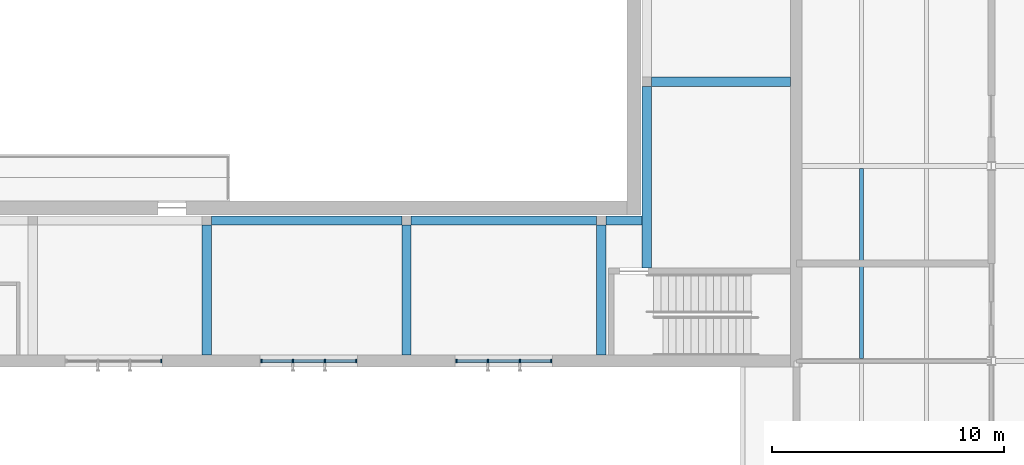
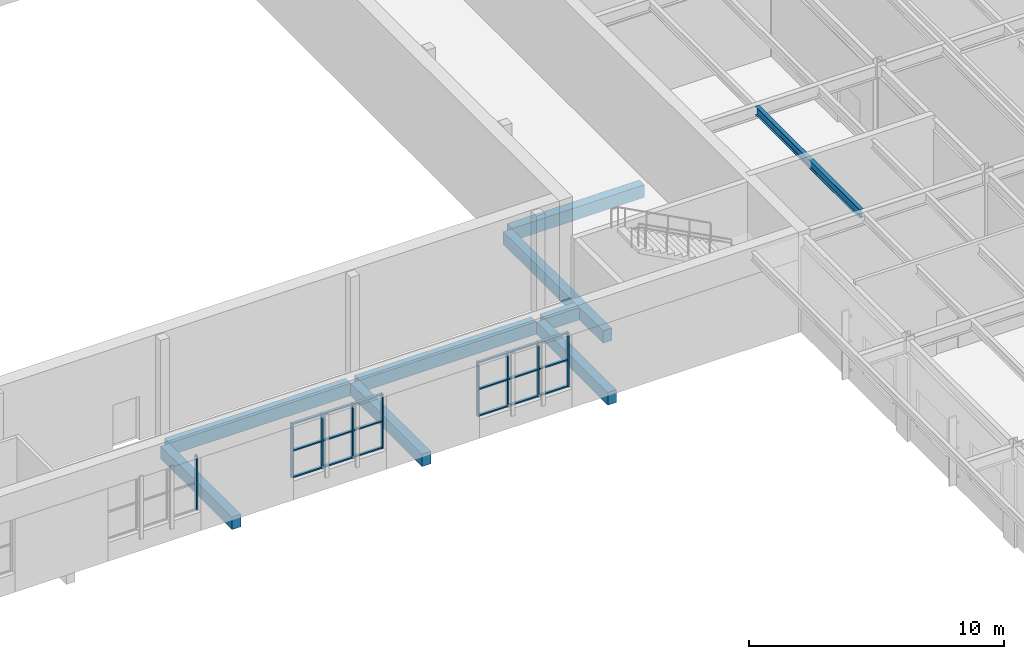
# One storey, part 27 of 116: 27 members, 9 beams, 3 elements without a shape of their own.
"""IFC4 building model written with IfcOpenShell, lengths in metres."""

from ifc_helpers import new_model, si_unit, direction, frame, origin, origin_2d, place, context, subcontext, project, spatial, rectangle, i_section, extrude, material, material_profile, profile_set, type_object, element, aggregate, save


model = new_model("IFC4")

# Units and contexts
model_context = context("Model", 3, precision=1e-05, world=origin(), true_north=direction((0.0, 1.0)))
body_context = subcontext(model_context, "Body", "Model", "MODEL_VIEW")
ifc_project = project(units=[si_unit("LENGTHUNIT", "METRE"), si_unit("AREAUNIT", "SQUARE_METRE"), si_unit("VOLUMEUNIT", "CUBIC_METRE"), si_unit("PLANEANGLEUNIT", "RADIAN"), si_unit("MASSUNIT", "GRAM", prefix="KILO")], contexts=[model_context])

# Site, building, storey
site_placement = place(None, origin())
site = spatial("IfcSite", under=ifc_project, at=site_placement, CompositionType="ELEMENT")
building_placement = place(site_placement, origin())
building = spatial("IfcBuilding", under=site, at=building_placement, Name="Ljudholm Concert House", CompositionType="ELEMENT")
storey_placement = place(building_placement, frame((0.0, 0.0, 10.199951171875)))
storey = spatial("IfcBuildingStorey", under=building, at=storey_placement, Name="L02", CompositionType="ELEMENT", Elevation=10.199951171875)

# Curtain wall, member
ifc_material_1 = material(Name="Aluminium curtain wall with impact-rated laminated glass", Category="aluminium")
curtain_wall_type = type_object("IfcCurtainWallType", Name="CURTAIN WALL 1400", PredefinedType="NOTDEFINED", material=ifc_material_1)
curtain_wall_1_placement = place(storey_placement, origin())
curtain_wall_1 = element("IfcCurtainWall", 1, at=curtain_wall_1_placement, inside=storey, type_object=curtain_wall_type, Name="Promenade curtain wall", PredefinedType="NOTDEFINED")
ifc_material_2 = material(Name="Aluminium extrusion", Category="aluminium")
ifc_material_profile_1 = material_profile(ifc_material_2, rectangle(XDim=0.159912109375, YDim=0.06005859375, at=origin_2d()), Name="MULLION 60x160")
ifc_profile_set_1 = profile_set([ifc_material_profile_1], Name="Aluminium extrusion")
member_type_1 = type_object("IfcMemberType", Name="MULLION 60x160", PredefinedType="MULLION", material=ifc_profile_set_1)
member_1_placement = place(storey_placement, frame((69.0400390625, 54.39990234375, 0.900146484375), z_axis=(0.0, 0.0, 1.0), x_axis=(0.0, 1.0, 0.0)))
member_1 = element("IfcMember", 2, at=member_1_placement, type_object=member_type_1, Name="Mullion", PredefinedType="MULLION", context=body_context, shape_type="SweptSolid", body=[
    extrude(rectangle(XDim=0.159912109375, YDim=0.06005859375, at=origin_2d()), origin(), (0.0, 0.0, 1.0), 2.599853515625),
])
aggregate(curtain_wall_1, [member_1])

# Curtain wall, members
curtain_wall_2_placement = place(storey_placement, origin())
curtain_wall_2 = element("IfcCurtainWall", 3, at=curtain_wall_2_placement, inside=storey, type_object=curtain_wall_type, Name="Promenade curtain wall", PredefinedType="NOTDEFINED")
member_2_placement = place(storey_placement, frame((73.360107421875, 54.39990234375, 0.900146484375), z_axis=(0.0, 0.0, 1.0), x_axis=(0.0, 1.0, 0.0)))
member_2 = element("IfcMember", 4, at=member_2_placement, type_object=member_type_1, Name="Mullion", PredefinedType="MULLION", context=body_context, shape_type="SweptSolid", body=[
    extrude(rectangle(XDim=0.159912109375, YDim=0.06005859375, at=origin_2d()), origin(), (0.0, 0.0, 1.0), 2.599853515625),
])
member_3_placement = place(storey_placement, frame((74.7099609375, 54.39990234375, 0.900146484375), z_axis=(0.0, 0.0, 1.0), x_axis=(0.0, 1.0, 0.0)))
member_3 = element("IfcMember", 5, at=member_3_placement, type_object=member_type_1, Name="Mullion", PredefinedType="MULLION", context=body_context, shape_type="SweptSolid", body=[
    extrude(rectangle(XDim=0.159912109375, YDim=0.06005859375, at=origin_2d()), origin(), (0.0, 0.0, 1.0), 2.599853515625),
])
member_4_placement = place(storey_placement, frame((76.090087890625, 54.39990234375, 0.900146484375), z_axis=(0.0, 0.0, 1.0), x_axis=(0.0, 1.0, 0.0)))
member_4 = element("IfcMember", 6, at=member_4_placement, type_object=member_type_1, Name="Mullion", PredefinedType="MULLION", context=body_context, shape_type="SweptSolid", body=[
    extrude(rectangle(XDim=0.159912109375, YDim=0.06005859375, at=origin_2d()), origin(), (0.0, 0.0, 1.0), 2.599853515625),
])
member_5_placement = place(storey_placement, frame((77.43994140625, 54.39990234375, 0.900146484375), z_axis=(0.0, 0.0, 1.0), x_axis=(0.0, 1.0, 0.0)))
member_5 = element("IfcMember", 7, at=member_5_placement, type_object=member_type_1, Name="Mullion", PredefinedType="MULLION", context=body_context, shape_type="SweptSolid", body=[
    extrude(rectangle(XDim=0.159912109375, YDim=0.06005859375, at=origin_2d()), origin(), (0.0, 0.0, 1.0), 2.599853515625),
])

curtain_wall_3_placement = place(storey_placement, origin())
curtain_wall_3 = element("IfcCurtainWall", 8, at=curtain_wall_3_placement, inside=storey, type_object=curtain_wall_type, Name="Promenade curtain wall", PredefinedType="NOTDEFINED")
member_6_placement = place(storey_placement, frame((81.760009765625, 54.39990234375, 0.900146484375), z_axis=(0.0, 0.0, 1.0), x_axis=(0.0, 1.0, 0.0)))
member_6 = element("IfcMember", 9, at=member_6_placement, type_object=member_type_1, Name="Mullion", PredefinedType="MULLION", context=body_context, shape_type="SweptSolid", body=[
    extrude(rectangle(XDim=0.159912109375, YDim=0.06005859375, at=origin_2d()), origin(), (0.0, 0.0, 1.0), 2.599853515625),
])
member_7_placement = place(storey_placement, frame((83.110107421875, 54.39990234375, 0.900146484375), z_axis=(0.0, 0.0, 1.0), x_axis=(0.0, 1.0, 0.0)))
member_7 = element("IfcMember", 10, at=member_7_placement, type_object=member_type_1, Name="Mullion", PredefinedType="MULLION", context=body_context, shape_type="SweptSolid", body=[
    extrude(rectangle(XDim=0.159912109375, YDim=0.06005859375, at=origin_2d()), origin(), (0.0, 0.0, 1.0), 2.599853515625),
])
member_8_placement = place(storey_placement, frame((84.489990234375, 54.39990234375, 0.900146484375), z_axis=(0.0, 0.0, 1.0), x_axis=(0.0, 1.0, 0.0)))
member_8 = element("IfcMember", 11, at=member_8_placement, type_object=member_type_1, Name="Mullion", PredefinedType="MULLION", context=body_context, shape_type="SweptSolid", body=[
    extrude(rectangle(XDim=0.159912109375, YDim=0.06005859375, at=origin_2d()), origin(), (0.0, 0.0, 1.0), 2.599853515625),
])
member_9_placement = place(storey_placement, frame((85.840087890625, 54.39990234375, 0.900146484375), z_axis=(0.0, 0.0, 1.0), x_axis=(0.0, 1.0, 0.0)))
member_9 = element("IfcMember", 12, at=member_9_placement, type_object=member_type_1, Name="Mullion", PredefinedType="MULLION", context=body_context, shape_type="SweptSolid", body=[
    extrude(rectangle(XDim=0.159912109375, YDim=0.06005859375, at=origin_2d()), origin(), (0.0, 0.0, 1.0), 2.599853515625),
])

# Beams
ifc_material_3 = material(Name="Concrete 6,500 psi", Category="concrete")
ifc_material_profile_2 = material_profile(ifc_material_3, rectangle(XDim=0.39990234375, YDim=0.60009765625, at=origin_2d()), Name="RC BEAM 400x600")
ifc_profile_set_2 = profile_set([ifc_material_profile_2], Name="Concrete 6,500 psi")
beam_type_1 = type_object("IfcBeamType", Name="RC BEAM 400x600", PredefinedType="BEAM", material=ifc_profile_set_2)
beam_1_placement = place(storey_placement, frame((71.199951171875, 60.449951171875, -0.550048828125), z_axis=(1.0, 0.0, 0.0), x_axis=(0.0, 1.0, 0.0)))
element("IfcBeam", 13, at=beam_1_placement, inside=storey, type_object=beam_type_1, Name="Ring beam", PredefinedType="BEAM", context=body_context, shape_type="SweptSolid", body=[
    extrude(rectangle(XDim=0.39990234375, YDim=0.60009765625, at=origin_2d()), origin(), (0.0, 0.0, 1.0), 8.199951171875),
])
beam_2_placement = place(storey_placement, frame((79.800048828125, 60.449951171875, -0.550048828125), z_axis=(1.0, 0.0, 0.0), x_axis=(0.0, 1.0, 0.0)))
element("IfcBeam", 14, at=beam_2_placement, inside=storey, type_object=beam_type_1, Name="Ring beam", PredefinedType="BEAM", context=body_context, shape_type="SweptSolid", body=[
    extrude(rectangle(XDim=0.39990234375, YDim=0.60009765625, at=origin_2d()), origin(), (0.0, 0.0, 1.0), 8.0),
])
for number, where, z_axis, x_axis, name in (
    (15, (71.0, 60.25, -0.550048828125), (0.0, -1.0, 0.0), (1.0, 0.0, 0.0), "Ring cross beam"),
    (16, (79.60009765625, 60.25, -0.550048828125), (0.0, -1.0, 0.0), (1.0, 0.0, 0.0), "Ring cross beam"),
    (17, (88.0, 60.25, -0.550048828125), (0.0, -1.0, 0.0), (1.0, 0.0, 0.0), "Ring cross beam"),
):
    element("IfcBeam", number, at=place(storey_placement, frame(where, z_axis=z_axis, x_axis=x_axis)), inside=storey, type_object=beam_type_1, Name=name, PredefinedType="BEAM", context=body_context, shape_type="SweptSolid", body=[
        extrude(rectangle(XDim=0.39990234375, YDim=0.60009765625, at=origin_2d()), origin(), (0.0, 0.0, 1.0), 5.60009765625),
    ])
beam_3_placement = place(storey_placement, frame((90.14990234375, 66.429931640625, -0.550048828125), z_axis=(1.0, 0.0, 0.0), x_axis=(0.0, 1.0, 0.0)))
element("IfcBeam", 18, at=beam_3_placement, inside=storey, type_object=beam_type_1, Name="Ring cross beam", PredefinedType="BEAM", context=body_context, shape_type="SweptSolid", body=[
    extrude(rectangle(XDim=0.39990234375, YDim=0.60009765625, at=origin_2d()), origin(), (0.0, 0.0, 1.0), 6.0),
])
beam_4_placement = place(storey_placement, frame((88.199951171875, 60.449951171875, -0.550048828125), z_axis=(1.0, 0.0, 0.0), x_axis=(0.0, 1.0, 0.0)))
element("IfcBeam", 19, at=beam_4_placement, inside=storey, type_object=beam_type_1, Name="Ring beam", PredefinedType="BEAM", context=body_context, shape_type="SweptSolid", body=[
    extrude(rectangle(XDim=0.39990234375, YDim=0.60009765625, at=origin_2d()), origin(), (0.0, 0.0, 1.0), 1.550048828125),
])
beam_5_placement = place(storey_placement, frame((89.949951171875, 58.39990234375, -0.550048828125), z_axis=(0.0, 1.0, 0.0), x_axis=(-1.0, 0.0, 0.0)))
element("IfcBeam", 20, at=beam_5_placement, inside=storey, type_object=beam_type_1, Name="Ring beam", PredefinedType="BEAM", context=body_context, shape_type="SweptSolid", body=[
    extrude(rectangle(XDim=0.39990234375, YDim=0.60009765625, at=origin_2d()), origin(), (0.0, 0.0, 1.0), 7.830078125),
])
ifc_material_4 = material(Name="Steel ASTM A992", Category="steel")
ifc_material_profile_3 = material_profile(ifc_material_4, i_section(OverallWidth=0.177734375, OverallDepth=0.406494140625, WebThickness=0.0078125, FlangeThickness=0.012939453125, FilletRadius=0.01025390625, at=origin_2d()), Name="W16X40")
ifc_profile_set_3 = profile_set([ifc_material_profile_3], Name="Steel ASTM A992")
beam_type_2 = type_object("IfcBeamType", Name="STEEL BEAM W16X40", PredefinedType="BEAM", material=ifc_profile_set_3)
beam_6_placement = place(storey_placement, frame((99.199951171875, 54.5146484375, 4.416748046875), z_axis=(0.0, 1.0, 0.0), x_axis=(-1.0, 0.0, 0.0)))
element("IfcBeam", 21, at=beam_6_placement, inside=storey, type_object=beam_type_2, Name="Beam BOH-ROOF-sb-99.2-54.4", PredefinedType="BEAM", context=body_context, shape_type="SweptSolid", body=[
    extrude(i_section(OverallWidth=0.177734375, OverallDepth=0.406494140625, WebThickness=0.0078125, FlangeThickness=0.012939453125, FilletRadius=0.01025390625, at=origin_2d()), origin(), (0.0, 0.0, 1.0), 8.1708984375),
])

# Member
ifc_material_5 = material(Name="Aluminium extrusion", Category="aluminium")
ifc_material_profile_4 = material_profile(ifc_material_5, rectangle(XDim=0.1201171875, YDim=0.06005859375, at=origin_2d()), Name="TRANSOM 60x120")
ifc_profile_set_4 = profile_set([ifc_material_profile_4], Name="Aluminium extrusion")
member_type_2 = type_object("IfcMemberType", Name="TRANSOM 60x120", PredefinedType="USERDEFINED", material=ifc_profile_set_4)
member_10_placement = place(storey_placement, frame((73.389892578125, 54.39990234375, 0.929931640625), z_axis=(1.0, 0.0, 0.0), x_axis=(0.0, 1.0, 0.0)))
member_10 = element("IfcMember", 22, at=member_10_placement, type_object=member_type_2, Name="Transom", ObjectType="TRANSOM", PredefinedType="USERDEFINED", context=body_context, shape_type="SweptSolid", body=[
    extrude(rectangle(XDim=0.1201171875, YDim=0.06005859375, at=origin_2d()), origin(), (0.0, 0.0, 1.0), 1.2900390625),
])

member_11_placement = place(storey_placement, frame((73.389892578125, 54.39990234375, 2.199951171875), z_axis=(1.0, 0.0, 0.0), x_axis=(0.0, 1.0, 0.0)))
member_11 = element("IfcMember", 23, at=member_11_placement, type_object=member_type_2, Name="Transom", ObjectType="TRANSOM", PredefinedType="USERDEFINED", context=body_context, shape_type="SweptSolid", body=[
    extrude(rectangle(XDim=0.1201171875, YDim=0.06005859375, at=origin_2d()), origin(), (0.0, 0.0, 1.0), 1.2900390625),
])

member_12_placement = place(storey_placement, frame((73.389892578125, 54.39990234375, 3.469970703125), z_axis=(1.0, 0.0, 0.0), x_axis=(0.0, 1.0, 0.0)))
member_12 = element("IfcMember", 24, at=member_12_placement, type_object=member_type_2, Name="Transom", ObjectType="TRANSOM", PredefinedType="USERDEFINED", context=body_context, shape_type="SweptSolid", body=[
    extrude(rectangle(XDim=0.1201171875, YDim=0.06005859375, at=origin_2d()), origin(), (0.0, 0.0, 1.0), 1.2900390625),
])

member_13_placement = place(storey_placement, frame((74.739990234375, 54.39990234375, 0.929931640625), z_axis=(1.0, 0.0, 0.0), x_axis=(0.0, 1.0, 0.0)))
member_13 = element("IfcMember", 25, at=member_13_placement, type_object=member_type_2, Name="Transom", ObjectType="TRANSOM", PredefinedType="USERDEFINED", context=body_context, shape_type="SweptSolid", body=[
    extrude(rectangle(XDim=0.1201171875, YDim=0.06005859375, at=origin_2d()), origin(), (0.0, 0.0, 1.0), 1.320068359375),
])

member_14_placement = place(storey_placement, frame((74.739990234375, 54.39990234375, 2.199951171875), z_axis=(1.0, 0.0, 0.0), x_axis=(0.0, 1.0, 0.0)))
member_14 = element("IfcMember", 26, at=member_14_placement, type_object=member_type_2, Name="Transom", ObjectType="TRANSOM", PredefinedType="USERDEFINED", context=body_context, shape_type="SweptSolid", body=[
    extrude(rectangle(XDim=0.1201171875, YDim=0.06005859375, at=origin_2d()), origin(), (0.0, 0.0, 1.0), 1.320068359375),
])

member_15_placement = place(storey_placement, frame((74.739990234375, 54.39990234375, 3.469970703125), z_axis=(1.0, 0.0, 0.0), x_axis=(0.0, 1.0, 0.0)))
member_15 = element("IfcMember", 27, at=member_15_placement, type_object=member_type_2, Name="Transom", ObjectType="TRANSOM", PredefinedType="USERDEFINED", context=body_context, shape_type="SweptSolid", body=[
    extrude(rectangle(XDim=0.1201171875, YDim=0.06005859375, at=origin_2d()), origin(), (0.0, 0.0, 1.0), 1.320068359375),
])

member_16_placement = place(storey_placement, frame((76.1201171875, 54.39990234375, 0.929931640625), z_axis=(1.0, 0.0, 0.0), x_axis=(0.0, 1.0, 0.0)))
member_16 = element("IfcMember", 28, at=member_16_placement, type_object=member_type_2, Name="Transom", ObjectType="TRANSOM", PredefinedType="USERDEFINED", context=body_context, shape_type="SweptSolid", body=[
    extrude(rectangle(XDim=0.1201171875, YDim=0.06005859375, at=origin_2d()), origin(), (0.0, 0.0, 1.0), 1.289794921875),
])

member_17_placement = place(storey_placement, frame((76.1201171875, 54.39990234375, 2.199951171875), z_axis=(1.0, 0.0, 0.0), x_axis=(0.0, 1.0, 0.0)))
member_17 = element("IfcMember", 29, at=member_17_placement, type_object=member_type_2, Name="Transom", ObjectType="TRANSOM", PredefinedType="USERDEFINED", context=body_context, shape_type="SweptSolid", body=[
    extrude(rectangle(XDim=0.1201171875, YDim=0.06005859375, at=origin_2d()), origin(), (0.0, 0.0, 1.0), 1.289794921875),
])

member_18_placement = place(storey_placement, frame((76.1201171875, 54.39990234375, 3.469970703125), z_axis=(1.0, 0.0, 0.0), x_axis=(0.0, 1.0, 0.0)))
member_18 = element("IfcMember", 30, at=member_18_placement, type_object=member_type_2, Name="Transom", ObjectType="TRANSOM", PredefinedType="USERDEFINED", context=body_context, shape_type="SweptSolid", body=[
    extrude(rectangle(XDim=0.1201171875, YDim=0.06005859375, at=origin_2d()), origin(), (0.0, 0.0, 1.0), 1.289794921875),
])

aggregate(curtain_wall_2, [member_2, member_3, member_4, member_5, member_10, member_11, member_12, member_13, member_14, member_15, member_16, member_17, member_18])

member_19_placement = place(storey_placement, frame((81.7900390625, 54.39990234375, 0.929931640625), z_axis=(1.0, 0.0, 0.0), x_axis=(0.0, 1.0, 0.0)))
member_19 = element("IfcMember", 31, at=member_19_placement, type_object=member_type_2, Name="Transom", ObjectType="TRANSOM", PredefinedType="USERDEFINED", context=body_context, shape_type="SweptSolid", body=[
    extrude(rectangle(XDim=0.1201171875, YDim=0.06005859375, at=origin_2d()), origin(), (0.0, 0.0, 1.0), 1.2900390625),
])

member_20_placement = place(storey_placement, frame((81.7900390625, 54.39990234375, 2.199951171875), z_axis=(1.0, 0.0, 0.0), x_axis=(0.0, 1.0, 0.0)))
member_20 = element("IfcMember", 32, at=member_20_placement, type_object=member_type_2, Name="Transom", ObjectType="TRANSOM", PredefinedType="USERDEFINED", context=body_context, shape_type="SweptSolid", body=[
    extrude(rectangle(XDim=0.1201171875, YDim=0.06005859375, at=origin_2d()), origin(), (0.0, 0.0, 1.0), 1.2900390625),
])

member_21_placement = place(storey_placement, frame((81.7900390625, 54.39990234375, 3.469970703125), z_axis=(1.0, 0.0, 0.0), x_axis=(0.0, 1.0, 0.0)))
member_21 = element("IfcMember", 33, at=member_21_placement, type_object=member_type_2, Name="Transom", ObjectType="TRANSOM", PredefinedType="USERDEFINED", context=body_context, shape_type="SweptSolid", body=[
    extrude(rectangle(XDim=0.1201171875, YDim=0.06005859375, at=origin_2d()), origin(), (0.0, 0.0, 1.0), 1.2900390625),
])

member_22_placement = place(storey_placement, frame((83.139892578125, 54.39990234375, 0.929931640625), z_axis=(1.0, 0.0, 0.0), x_axis=(0.0, 1.0, 0.0)))
member_22 = element("IfcMember", 34, at=member_22_placement, type_object=member_type_2, Name="Transom", ObjectType="TRANSOM", PredefinedType="USERDEFINED", context=body_context, shape_type="SweptSolid", body=[
    extrude(rectangle(XDim=0.1201171875, YDim=0.06005859375, at=origin_2d()), origin(), (0.0, 0.0, 1.0), 1.320068359375),
])

member_23_placement = place(storey_placement, frame((83.139892578125, 54.39990234375, 2.199951171875), z_axis=(1.0, 0.0, 0.0), x_axis=(0.0, 1.0, 0.0)))
member_23 = element("IfcMember", 35, at=member_23_placement, type_object=member_type_2, Name="Transom", ObjectType="TRANSOM", PredefinedType="USERDEFINED", context=body_context, shape_type="SweptSolid", body=[
    extrude(rectangle(XDim=0.1201171875, YDim=0.06005859375, at=origin_2d()), origin(), (0.0, 0.0, 1.0), 1.320068359375),
])

member_24_placement = place(storey_placement, frame((83.139892578125, 54.39990234375, 3.469970703125), z_axis=(1.0, 0.0, 0.0), x_axis=(0.0, 1.0, 0.0)))
member_24 = element("IfcMember", 36, at=member_24_placement, type_object=member_type_2, Name="Transom", ObjectType="TRANSOM", PredefinedType="USERDEFINED", context=body_context, shape_type="SweptSolid", body=[
    extrude(rectangle(XDim=0.1201171875, YDim=0.06005859375, at=origin_2d()), origin(), (0.0, 0.0, 1.0), 1.320068359375),
])

member_25_placement = place(storey_placement, frame((84.52001953125, 54.39990234375, 0.929931640625), z_axis=(1.0, 0.0, 0.0), x_axis=(0.0, 1.0, 0.0)))
member_25 = element("IfcMember", 37, at=member_25_placement, type_object=member_type_2, Name="Transom", ObjectType="TRANSOM", PredefinedType="USERDEFINED", context=body_context, shape_type="SweptSolid", body=[
    extrude(rectangle(XDim=0.1201171875, YDim=0.06005859375, at=origin_2d()), origin(), (0.0, 0.0, 1.0), 1.2900390625),
])

member_26_placement = place(storey_placement, frame((84.52001953125, 54.39990234375, 2.199951171875), z_axis=(1.0, 0.0, 0.0), x_axis=(0.0, 1.0, 0.0)))
member_26 = element("IfcMember", 38, at=member_26_placement, type_object=member_type_2, Name="Transom", ObjectType="TRANSOM", PredefinedType="USERDEFINED", context=body_context, shape_type="SweptSolid", body=[
    extrude(rectangle(XDim=0.1201171875, YDim=0.06005859375, at=origin_2d()), origin(), (0.0, 0.0, 1.0), 1.2900390625),
])

member_27_placement = place(storey_placement, frame((84.52001953125, 54.39990234375, 3.469970703125), z_axis=(1.0, 0.0, 0.0), x_axis=(0.0, 1.0, 0.0)))
member_27 = element("IfcMember", 39, at=member_27_placement, type_object=member_type_2, Name="Transom", ObjectType="TRANSOM", PredefinedType="USERDEFINED", context=body_context, shape_type="SweptSolid", body=[
    extrude(rectangle(XDim=0.1201171875, YDim=0.06005859375, at=origin_2d()), origin(), (0.0, 0.0, 1.0), 1.2900390625),
])

aggregate(curtain_wall_3, [member_6, member_7, member_8, member_9, member_19, member_20, member_21, member_22, member_23, member_24, member_25, member_26, member_27])

save(model, "model.ifc")
